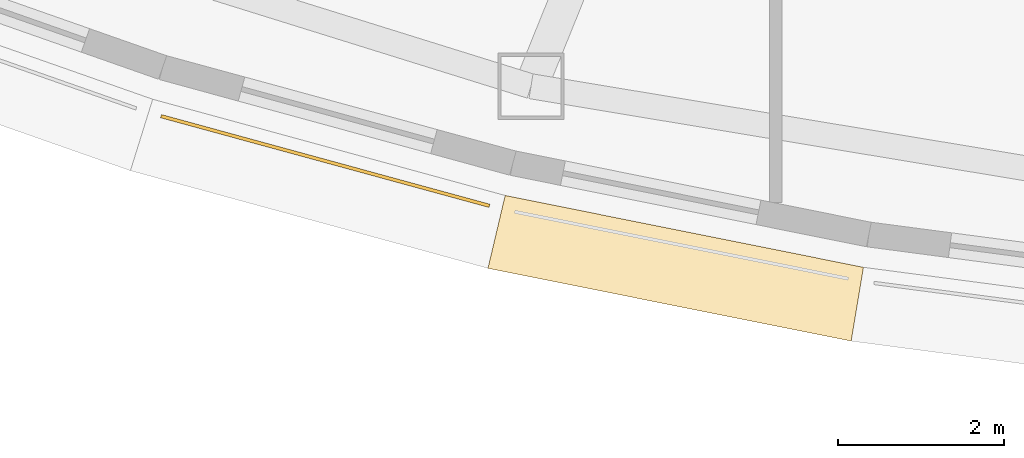
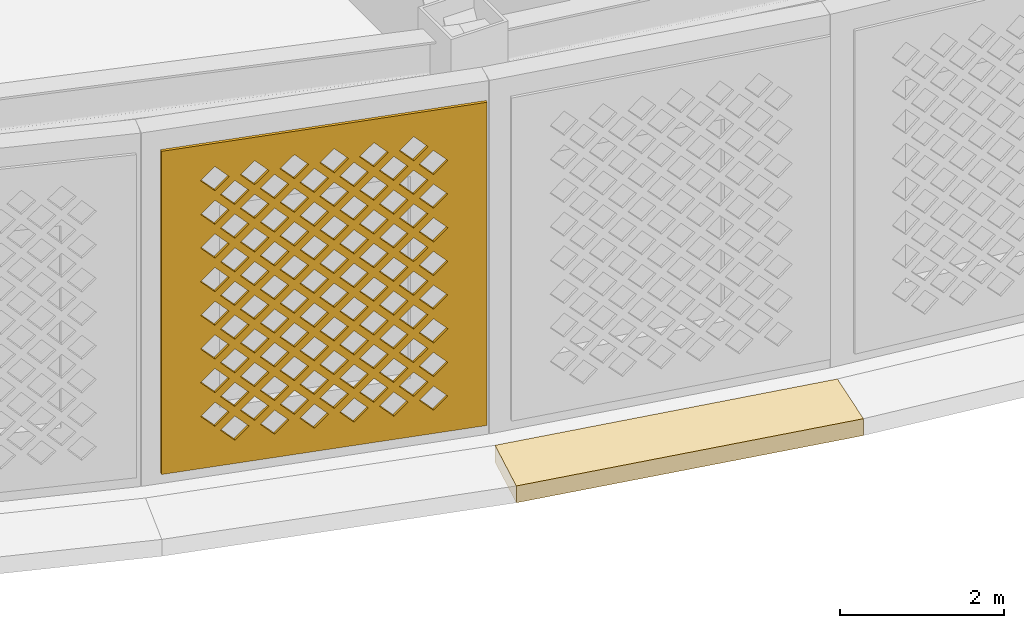
# One storey, part 48 of 69: 2 coverings.
"""IFC4 building model written with IfcOpenShell, lengths in metres."""

from ifc_helpers import new_model, si_unit, direction, frame, origin, place, context, subcontext, project, spatial, polyline, outline, extrude, material, layer, layer_set, type_object, element, save


model = new_model("IFC4")

# Units and contexts
model_context = context("Model", 3, precision=1e-05, world=origin(), true_north=direction((0.0, 1.0)))
body_context = subcontext(model_context, "Body", "Model", "MODEL_VIEW")
ifc_project = project(units=[si_unit("LENGTHUNIT", "METRE"), si_unit("AREAUNIT", "SQUARE_METRE"), si_unit("VOLUMEUNIT", "CUBIC_METRE"), si_unit("PLANEANGLEUNIT", "RADIAN"), si_unit("MASSUNIT", "GRAM", prefix="KILO")], contexts=[model_context])

# Site, building, storey
site_placement = place(None, origin())
site = spatial("IfcSite", under=ifc_project, at=site_placement, CompositionType="ELEMENT")
building_placement = place(site_placement, origin())
building = spatial("IfcBuilding", under=site, at=building_placement, Name="Noorbagh Ring Tower", CompositionType="ELEMENT")
storey_placement = place(building_placement, frame((0.0, 0.0, 19.5)))
storey = spatial("IfcBuildingStorey", under=building, at=storey_placement, Name="L03", CompositionType="ELEMENT", Elevation=19.5)

# Coverings
ifc_material_1 = material(Name="Red sandstone eave", Category="masonry")
covering_type_1 = type_object("IfcCoveringType", Name="STY-CHHAJJA", PredefinedType="USERDEFINED", material=ifc_material_1)
covering_1_placement = place(storey_placement, frame((0.0, 0.0, -0.25)))
element("IfcCovering", 1, at=covering_1_placement, inside=storey, type_object=covering_type_1, Name="Chhajja eave", ObjectType="CHHAJJA", PredefinedType="USERDEFINED", context=body_context, shape_type="SweptSolid", body=[
    extrude(outline(polyline([(-15.2568359375, -38.239501953125), (-10.945556640625, -39.103759765625), (-11.093017578125, -39.9921875), (-15.464111328125, -39.115966796875), (-15.2568359375, -38.239501953125)])), origin(), (0.0, 0.0, 1.0), 0.25),
])
ifc_material_2 = material(Name="Red sandstone jali", Category="masonry")
ifc_layer = layer(ifc_material_2, 0.0400390625)
ifc_layer_set = layer_set([ifc_layer], Name="Red sandstone jali")
covering_type_2 = type_object("IfcCoveringType", Name="STY-JALI", PredefinedType="USERDEFINED", material=ifc_layer_set)
covering_2_placement = place(storey_placement, frame((-19.40380859375, -37.30419921875, 0.449951171875), z_axis=(-0.26339977228, -0.964686767797, 0.0), x_axis=(0.964686767797, -0.26339977228, 0.0)))
element("IfcCovering", 2, at=covering_2_placement, inside=storey, type_object=covering_type_2, Name="Jali screen", ObjectType="SCREEN", PredefinedType="USERDEFINED", context=body_context, shape_type="SweptSolid", body=[
    extrude(outline(polyline([(0.0, 0.0), (4.096923828125, 0.0), (4.096923828125, 4.800048828125), (0.0, 4.800048828125), (0.0, 0.0)]), holes=[polyline([(0.743408203125, 0.52490234375), (0.923583984375, 0.344970703125), (1.103515625, 0.52490234375), (0.923583984375, 0.705078125), (0.743408203125, 0.52490234375)]), polyline([(1.243408203125, 0.52490234375), (1.423583984375, 0.344970703125), (1.603515625, 0.52490234375), (1.423583984375, 0.705078125), (1.243408203125, 0.52490234375)]), polyline([(1.743408203125, 0.52490234375), (1.923583984375, 0.344970703125), (2.103515625, 0.52490234375), (1.923583984375, 0.705078125), (1.743408203125, 0.52490234375)]), polyline([(2.243408203125, 0.52490234375), (2.423583984375, 0.344970703125), (2.603515625, 0.52490234375), (2.423583984375, 0.705078125), (2.243408203125, 0.52490234375)]), polyline([(2.743408203125, 0.52490234375), (2.923583984375, 0.344970703125), (3.103515625, 0.52490234375), (2.923583984375, 0.705078125), (2.743408203125, 0.52490234375)]), polyline([(3.243408203125, 0.52490234375), (3.423583984375, 0.344970703125), (3.603515625, 0.52490234375), (3.423583984375, 0.705078125), (3.243408203125, 0.52490234375)]), polyline([(0.493408203125, 0.77490234375), (0.673583984375, 0.594970703125), (0.853515625, 0.77490234375), (0.673583984375, 0.955078125), (0.493408203125, 0.77490234375)]), polyline([(0.993408203125, 0.77490234375), (1.173583984375, 0.594970703125), (1.353515625, 0.77490234375), (1.173583984375, 0.955078125), (0.993408203125, 0.77490234375)]), polyline([(1.493408203125, 0.77490234375), (1.673583984375, 0.594970703125), (1.853515625, 0.77490234375), (1.673583984375, 0.955078125), (1.493408203125, 0.77490234375)]), polyline([(1.993408203125, 0.77490234375), (2.173583984375, 0.594970703125), (2.353515625, 0.77490234375), (2.173583984375, 0.955078125), (1.993408203125, 0.77490234375)]), polyline([(2.493408203125, 0.77490234375), (2.673583984375, 0.594970703125), (2.853515625, 0.77490234375), (2.673583984375, 0.955078125), (2.493408203125, 0.77490234375)]), polyline([(2.993408203125, 0.77490234375), (3.173583984375, 0.594970703125), (3.353515625, 0.77490234375), (3.173583984375, 0.955078125), (2.993408203125, 0.77490234375)]), polyline([(0.743408203125, 1.02490234375), (0.923583984375, 0.844970703125), (1.103515625, 1.02490234375), (0.923583984375, 1.205078125), (0.743408203125, 1.02490234375)]), polyline([(1.243408203125, 1.02490234375), (1.423583984375, 0.844970703125), (1.603515625, 1.02490234375), (1.423583984375, 1.205078125), (1.243408203125, 1.02490234375)]), polyline([(1.743408203125, 1.02490234375), (1.923583984375, 0.844970703125), (2.103515625, 1.02490234375), (1.923583984375, 1.205078125), (1.743408203125, 1.02490234375)]), polyline([(2.243408203125, 1.02490234375), (2.423583984375, 0.844970703125), (2.603515625, 1.02490234375), (2.423583984375, 1.205078125), (2.243408203125, 1.02490234375)]), polyline([(2.743408203125, 1.02490234375), (2.923583984375, 0.844970703125), (3.103515625, 1.02490234375), (2.923583984375, 1.205078125), (2.743408203125, 1.02490234375)]), polyline([(3.243408203125, 1.02490234375), (3.423583984375, 0.844970703125), (3.603515625, 1.02490234375), (3.423583984375, 1.205078125), (3.243408203125, 1.02490234375)]), polyline([(0.493408203125, 1.27490234375), (0.673583984375, 1.094970703125), (0.853515625, 1.27490234375), (0.673583984375, 1.455078125), (0.493408203125, 1.27490234375)]), polyline([(0.993408203125, 1.27490234375), (1.173583984375, 1.094970703125), (1.353515625, 1.27490234375), (1.173583984375, 1.455078125), (0.993408203125, 1.27490234375)]), polyline([(1.493408203125, 1.27490234375), (1.673583984375, 1.094970703125), (1.853515625, 1.27490234375), (1.673583984375, 1.455078125), (1.493408203125, 1.27490234375)]), polyline([(1.993408203125, 1.27490234375), (2.173583984375, 1.094970703125), (2.353515625, 1.27490234375), (2.173583984375, 1.455078125), (1.993408203125, 1.27490234375)]), polyline([(2.493408203125, 1.27490234375), (2.673583984375, 1.094970703125), (2.853515625, 1.27490234375), (2.673583984375, 1.455078125), (2.493408203125, 1.27490234375)]), polyline([(2.993408203125, 1.27490234375), (3.173583984375, 1.094970703125), (3.353515625, 1.27490234375), (3.173583984375, 1.455078125), (2.993408203125, 1.27490234375)]), polyline([(0.743408203125, 1.52490234375), (0.923583984375, 1.344970703125), (1.103515625, 1.52490234375), (0.923583984375, 1.705078125), (0.743408203125, 1.52490234375)]), polyline([(1.243408203125, 1.52490234375), (1.423583984375, 1.344970703125), (1.603515625, 1.52490234375), (1.423583984375, 1.705078125), (1.243408203125, 1.52490234375)]), polyline([(1.743408203125, 1.52490234375), (1.923583984375, 1.344970703125), (2.103515625, 1.52490234375), (1.923583984375, 1.705078125), (1.743408203125, 1.52490234375)]), polyline([(2.243408203125, 1.52490234375), (2.423583984375, 1.344970703125), (2.603515625, 1.52490234375), (2.423583984375, 1.705078125), (2.243408203125, 1.52490234375)]), polyline([(2.743408203125, 1.52490234375), (2.923583984375, 1.344970703125), (3.103515625, 1.52490234375), (2.923583984375, 1.705078125), (2.743408203125, 1.52490234375)]), polyline([(3.243408203125, 1.52490234375), (3.423583984375, 1.344970703125), (3.603515625, 1.52490234375), (3.423583984375, 1.705078125), (3.243408203125, 1.52490234375)]), polyline([(0.493408203125, 1.77490234375), (0.673583984375, 1.594970703125), (0.853515625, 1.77490234375), (0.673583984375, 1.955078125), (0.493408203125, 1.77490234375)]), polyline([(0.993408203125, 1.77490234375), (1.173583984375, 1.594970703125), (1.353515625, 1.77490234375), (1.173583984375, 1.955078125), (0.993408203125, 1.77490234375)]), polyline([(1.493408203125, 1.77490234375), (1.673583984375, 1.594970703125), (1.853515625, 1.77490234375), (1.673583984375, 1.955078125), (1.493408203125, 1.77490234375)]), polyline([(1.993408203125, 1.77490234375), (2.173583984375, 1.594970703125), (2.353515625, 1.77490234375), (2.173583984375, 1.955078125), (1.993408203125, 1.77490234375)]), polyline([(2.493408203125, 1.77490234375), (2.673583984375, 1.594970703125), (2.853515625, 1.77490234375), (2.673583984375, 1.955078125), (2.493408203125, 1.77490234375)]), polyline([(2.993408203125, 1.77490234375), (3.173583984375, 1.594970703125), (3.353515625, 1.77490234375), (3.173583984375, 1.955078125), (2.993408203125, 1.77490234375)]), polyline([(0.743408203125, 2.02490234375), (0.923583984375, 1.844970703125), (1.103515625, 2.02490234375), (0.923583984375, 2.205078125), (0.743408203125, 2.02490234375)]), polyline([(1.243408203125, 2.02490234375), (1.423583984375, 1.844970703125), (1.603515625, 2.02490234375), (1.423583984375, 2.205078125), (1.243408203125, 2.02490234375)]), polyline([(1.743408203125, 2.02490234375), (1.923583984375, 1.844970703125), (2.103515625, 2.02490234375), (1.923583984375, 2.205078125), (1.743408203125, 2.02490234375)]), polyline([(2.243408203125, 2.02490234375), (2.423583984375, 1.844970703125), (2.603515625, 2.02490234375), (2.423583984375, 2.205078125), (2.243408203125, 2.02490234375)]), polyline([(2.743408203125, 2.02490234375), (2.923583984375, 1.844970703125), (3.103515625, 2.02490234375), (2.923583984375, 2.205078125), (2.743408203125, 2.02490234375)]), polyline([(3.243408203125, 2.02490234375), (3.423583984375, 1.844970703125), (3.603515625, 2.02490234375), (3.423583984375, 2.205078125), (3.243408203125, 2.02490234375)]), polyline([(0.493408203125, 2.27490234375), (0.673583984375, 2.094970703125), (0.853515625, 2.27490234375), (0.673583984375, 2.455078125), (0.493408203125, 2.27490234375)]), polyline([(0.993408203125, 2.27490234375), (1.173583984375, 2.094970703125), (1.353515625, 2.27490234375), (1.173583984375, 2.455078125), (0.993408203125, 2.27490234375)]), polyline([(1.493408203125, 2.27490234375), (1.673583984375, 2.094970703125), (1.853515625, 2.27490234375), (1.673583984375, 2.455078125), (1.493408203125, 2.27490234375)]), polyline([(1.993408203125, 2.27490234375), (2.173583984375, 2.094970703125), (2.353515625, 2.27490234375), (2.173583984375, 2.455078125), (1.993408203125, 2.27490234375)]), polyline([(2.493408203125, 2.27490234375), (2.673583984375, 2.094970703125), (2.853515625, 2.27490234375), (2.673583984375, 2.455078125), (2.493408203125, 2.27490234375)]), polyline([(2.993408203125, 2.27490234375), (3.173583984375, 2.094970703125), (3.353515625, 2.27490234375), (3.173583984375, 2.455078125), (2.993408203125, 2.27490234375)]), polyline([(0.743408203125, 2.52490234375), (0.923583984375, 2.344970703125), (1.103515625, 2.52490234375), (0.923583984375, 2.705078125), (0.743408203125, 2.52490234375)]), polyline([(1.243408203125, 2.52490234375), (1.423583984375, 2.344970703125), (1.603515625, 2.52490234375), (1.423583984375, 2.705078125), (1.243408203125, 2.52490234375)]), polyline([(1.743408203125, 2.52490234375), (1.923583984375, 2.344970703125), (2.103515625, 2.52490234375), (1.923583984375, 2.705078125), (1.743408203125, 2.52490234375)]), polyline([(2.243408203125, 2.52490234375), (2.423583984375, 2.344970703125), (2.603515625, 2.52490234375), (2.423583984375, 2.705078125), (2.243408203125, 2.52490234375)]), polyline([(2.743408203125, 2.52490234375), (2.923583984375, 2.344970703125), (3.103515625, 2.52490234375), (2.923583984375, 2.705078125), (2.743408203125, 2.52490234375)]), polyline([(3.243408203125, 2.52490234375), (3.423583984375, 2.344970703125), (3.603515625, 2.52490234375), (3.423583984375, 2.705078125), (3.243408203125, 2.52490234375)]), polyline([(0.493408203125, 2.77490234375), (0.673583984375, 2.594970703125), (0.853515625, 2.77490234375), (0.673583984375, 2.955078125), (0.493408203125, 2.77490234375)]), polyline([(0.993408203125, 2.77490234375), (1.173583984375, 2.594970703125), (1.353515625, 2.77490234375), (1.173583984375, 2.955078125), (0.993408203125, 2.77490234375)]), polyline([(1.493408203125, 2.77490234375), (1.673583984375, 2.594970703125), (1.853515625, 2.77490234375), (1.673583984375, 2.955078125), (1.493408203125, 2.77490234375)]), polyline([(1.993408203125, 2.77490234375), (2.173583984375, 2.594970703125), (2.353515625, 2.77490234375), (2.173583984375, 2.955078125), (1.993408203125, 2.77490234375)]), polyline([(2.493408203125, 2.77490234375), (2.673583984375, 2.594970703125), (2.853515625, 2.77490234375), (2.673583984375, 2.955078125), (2.493408203125, 2.77490234375)]), polyline([(2.993408203125, 2.77490234375), (3.173583984375, 2.594970703125), (3.353515625, 2.77490234375), (3.173583984375, 2.955078125), (2.993408203125, 2.77490234375)]), polyline([(0.743408203125, 3.02490234375), (0.923583984375, 2.844970703125), (1.103515625, 3.02490234375), (0.923583984375, 3.205078125), (0.743408203125, 3.02490234375)]), polyline([(1.243408203125, 3.02490234375), (1.423583984375, 2.844970703125), (1.603515625, 3.02490234375), (1.423583984375, 3.205078125), (1.243408203125, 3.02490234375)]), polyline([(1.743408203125, 3.02490234375), (1.923583984375, 2.844970703125), (2.103515625, 3.02490234375), (1.923583984375, 3.205078125), (1.743408203125, 3.02490234375)]), polyline([(2.243408203125, 3.02490234375), (2.423583984375, 2.844970703125), (2.603515625, 3.02490234375), (2.423583984375, 3.205078125), (2.243408203125, 3.02490234375)]), polyline([(2.743408203125, 3.02490234375), (2.923583984375, 2.844970703125), (3.103515625, 3.02490234375), (2.923583984375, 3.205078125), (2.743408203125, 3.02490234375)]), polyline([(3.243408203125, 3.02490234375), (3.423583984375, 2.844970703125), (3.603515625, 3.02490234375), (3.423583984375, 3.205078125), (3.243408203125, 3.02490234375)]), polyline([(0.493408203125, 3.27490234375), (0.673583984375, 3.094970703125), (0.853515625, 3.27490234375), (0.673583984375, 3.455078125), (0.493408203125, 3.27490234375)]), polyline([(0.993408203125, 3.27490234375), (1.173583984375, 3.094970703125), (1.353515625, 3.27490234375), (1.173583984375, 3.455078125), (0.993408203125, 3.27490234375)]), polyline([(1.493408203125, 3.27490234375), (1.673583984375, 3.094970703125), (1.853515625, 3.27490234375), (1.673583984375, 3.455078125), (1.493408203125, 3.27490234375)]), polyline([(1.993408203125, 3.27490234375), (2.173583984375, 3.094970703125), (2.353515625, 3.27490234375), (2.173583984375, 3.455078125), (1.993408203125, 3.27490234375)]), polyline([(2.493408203125, 3.27490234375), (2.673583984375, 3.094970703125), (2.853515625, 3.27490234375), (2.673583984375, 3.455078125), (2.493408203125, 3.27490234375)]), polyline([(2.993408203125, 3.27490234375), (3.173583984375, 3.094970703125), (3.353515625, 3.27490234375), (3.173583984375, 3.455078125), (2.993408203125, 3.27490234375)]), polyline([(0.743408203125, 3.52490234375), (0.923583984375, 3.344970703125), (1.103515625, 3.52490234375), (0.923583984375, 3.705078125), (0.743408203125, 3.52490234375)]), polyline([(1.243408203125, 3.52490234375), (1.423583984375, 3.344970703125), (1.603515625, 3.52490234375), (1.423583984375, 3.705078125), (1.243408203125, 3.52490234375)]), polyline([(1.743408203125, 3.52490234375), (1.923583984375, 3.344970703125), (2.103515625, 3.52490234375), (1.923583984375, 3.705078125), (1.743408203125, 3.52490234375)]), polyline([(2.243408203125, 3.52490234375), (2.423583984375, 3.344970703125), (2.603515625, 3.52490234375), (2.423583984375, 3.705078125), (2.243408203125, 3.52490234375)]), polyline([(2.743408203125, 3.52490234375), (2.923583984375, 3.344970703125), (3.103515625, 3.52490234375), (2.923583984375, 3.705078125), (2.743408203125, 3.52490234375)]), polyline([(3.243408203125, 3.52490234375), (3.423583984375, 3.344970703125), (3.603515625, 3.52490234375), (3.423583984375, 3.705078125), (3.243408203125, 3.52490234375)]), polyline([(0.493408203125, 3.77490234375), (0.673583984375, 3.594970703125), (0.853515625, 3.77490234375), (0.673583984375, 3.955078125), (0.493408203125, 3.77490234375)]), polyline([(0.993408203125, 3.77490234375), (1.173583984375, 3.594970703125), (1.353515625, 3.77490234375), (1.173583984375, 3.955078125), (0.993408203125, 3.77490234375)]), polyline([(1.493408203125, 3.77490234375), (1.673583984375, 3.594970703125), (1.853515625, 3.77490234375), (1.673583984375, 3.955078125), (1.493408203125, 3.77490234375)]), polyline([(1.993408203125, 3.77490234375), (2.173583984375, 3.594970703125), (2.353515625, 3.77490234375), (2.173583984375, 3.955078125), (1.993408203125, 3.77490234375)]), polyline([(2.493408203125, 3.77490234375), (2.673583984375, 3.594970703125), (2.853515625, 3.77490234375), (2.673583984375, 3.955078125), (2.493408203125, 3.77490234375)]), polyline([(2.993408203125, 3.77490234375), (3.173583984375, 3.594970703125), (3.353515625, 3.77490234375), (3.173583984375, 3.955078125), (2.993408203125, 3.77490234375)]), polyline([(0.743408203125, 4.02490234375), (0.923583984375, 3.844970703125), (1.103515625, 4.02490234375), (0.923583984375, 4.205078125), (0.743408203125, 4.02490234375)]), polyline([(1.243408203125, 4.02490234375), (1.423583984375, 3.844970703125), (1.603515625, 4.02490234375), (1.423583984375, 4.205078125), (1.243408203125, 4.02490234375)]), polyline([(1.743408203125, 4.02490234375), (1.923583984375, 3.844970703125), (2.103515625, 4.02490234375), (1.923583984375, 4.205078125), (1.743408203125, 4.02490234375)]), polyline([(2.243408203125, 4.02490234375), (2.423583984375, 3.844970703125), (2.603515625, 4.02490234375), (2.423583984375, 4.205078125), (2.243408203125, 4.02490234375)]), polyline([(2.743408203125, 4.02490234375), (2.923583984375, 3.844970703125), (3.103515625, 4.02490234375), (2.923583984375, 4.205078125), (2.743408203125, 4.02490234375)]), polyline([(3.243408203125, 4.02490234375), (3.423583984375, 3.844970703125), (3.603515625, 4.02490234375), (3.423583984375, 4.205078125), (3.243408203125, 4.02490234375)]), polyline([(0.493408203125, 4.27490234375), (0.673583984375, 4.094970703125), (0.853515625, 4.27490234375), (0.673583984375, 4.455078125), (0.493408203125, 4.27490234375)]), polyline([(0.993408203125, 4.27490234375), (1.173583984375, 4.094970703125), (1.353515625, 4.27490234375), (1.173583984375, 4.455078125), (0.993408203125, 4.27490234375)]), polyline([(1.493408203125, 4.27490234375), (1.673583984375, 4.094970703125), (1.853515625, 4.27490234375), (1.673583984375, 4.455078125), (1.493408203125, 4.27490234375)]), polyline([(1.993408203125, 4.27490234375), (2.173583984375, 4.094970703125), (2.353515625, 4.27490234375), (2.173583984375, 4.455078125), (1.993408203125, 4.27490234375)]), polyline([(2.493408203125, 4.27490234375), (2.673583984375, 4.094970703125), (2.853515625, 4.27490234375), (2.673583984375, 4.455078125), (2.493408203125, 4.27490234375)]), polyline([(2.993408203125, 4.27490234375), (3.173583984375, 4.094970703125), (3.353515625, 4.27490234375), (3.173583984375, 4.455078125), (2.993408203125, 4.27490234375)])]), origin(), (0.0, 0.0, -1.0), 0.0400390625),
])

save(model, "model.ifc")
